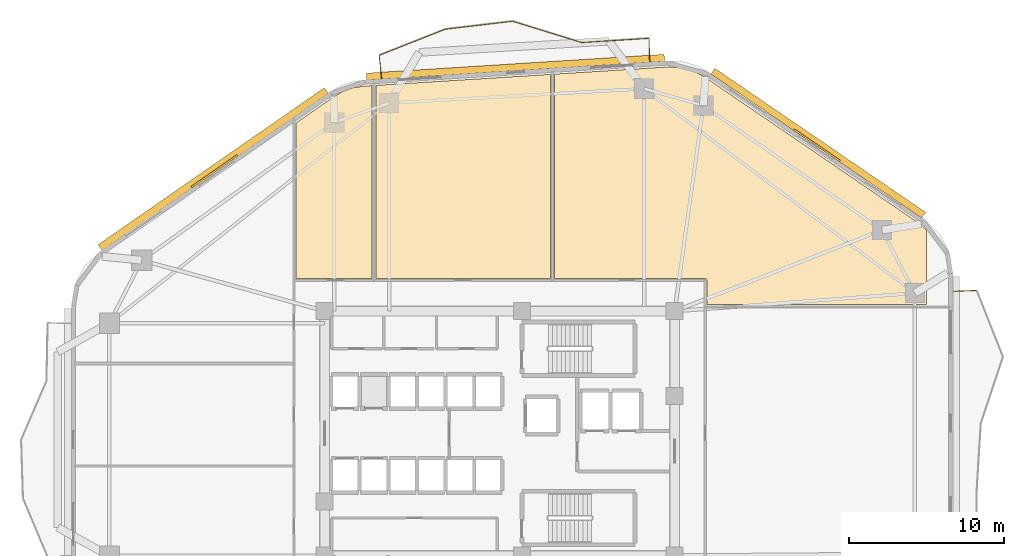
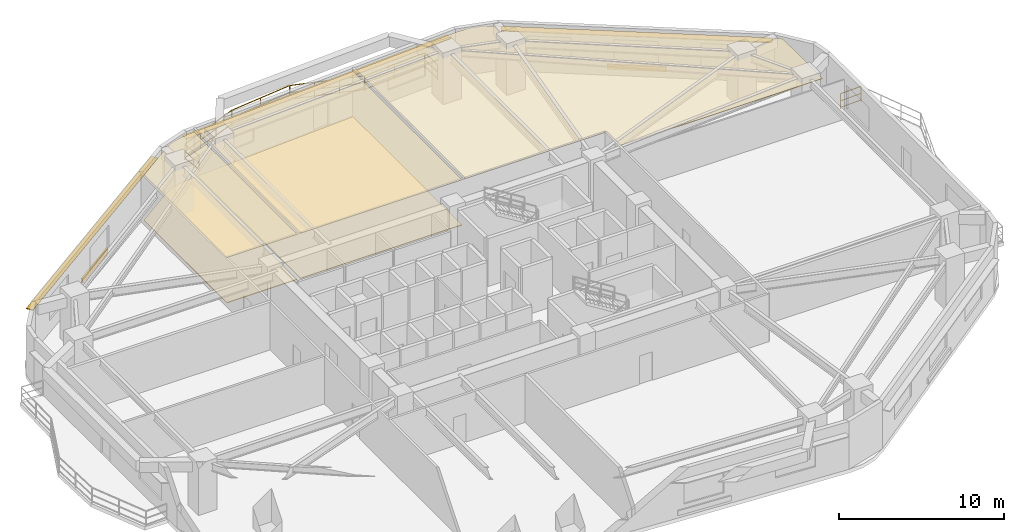
# One storey, part 9 of 10: 7 railings, 5 coverings, 5 shading devices.
"""IFC4 building model written with IfcOpenShell, lengths in metres."""

import ifcopenshell
import ifcopenshell.guid

model = None  # the IFC model being written
_history = None  # IfcOwnerHistory: only IFC2X3 demands one
_inside = {}  # id of a spatial element -> (the spatial element, [elements in it])
_under = {}  # id of a project, library or spatial element -> (it, [spatial elements below it])
_declared = {}  # id of a project -> (the project, [libraries it declares])
_typed = {}  # id of a type object -> (the type object, [elements of that type])
_made_of = {}  # id of a material, layer set ... -> (it, [elements and type objects made of it])


def new_model(schema):
    """Start an empty IFC model of exactly this schema.

    Asked for "IFC4X3", IfcOpenShell would pick the latest addendum, in which some entities
    have other attributes; the version numbers below select the first issue.
    IFC2X3 requires an IfcOwnerHistory on every rooted entity: one is made here for all.
    """
    global model, _history
    if schema == "IFC4X3":
        model = ifcopenshell.file(schema_version=(4, 3, 0, 0))
    else:
        model = ifcopenshell.file(schema=schema)
    _inside.clear()
    _under.clear()
    _declared.clear()
    _typed.clear()
    _made_of.clear()
    _history = None
    if model.schema == "IFC2X3":
        org = make("IfcOrganization", Name="unknown")
        user = make(
            "IfcPersonAndOrganization",
            ThePerson=make("IfcPerson", FamilyName="unknown"),
            TheOrganization=org,
        )
        app = make(
            "IfcApplication",
            ApplicationDeveloper=org,
            Version="unknown",
            ApplicationFullName="unknown",
            ApplicationIdentifier="unknown",
        )
        _history = make(
            "IfcOwnerHistory",
            OwningUser=user,
            OwningApplication=app,
            ChangeAction="ADDED",
            CreationDate=0,
        )
    return model


def make(cls, **values):
    """One entity of the class cls with the attributes given. An attribute that is None is left unset."""
    return model.create_entity(
        cls, **{name: value for name, value in values.items() if value is not None}
    )


def rooted(cls, **values):
    """An entity with a GlobalId (a new one), such as an element, a storey or a relation."""
    return make(cls, GlobalId=ifcopenshell.guid.new(), OwnerHistory=_history, **values)


def si_unit(unit_type, name, prefix=None):
    """IfcSIUnit, for example si_unit("LENGTHUNIT", "METRE", prefix="MILLI")."""
    return make("IfcSIUnit", UnitType=unit_type, Prefix=prefix, Name=name)


def assignment(units):
    """IfcUnitAssignment: the units of a project."""
    return None if units is None else make("IfcUnitAssignment", Units=units)


def point(xyz):
    """IfcCartesianPoint."""
    return None if xyz is None else make("IfcCartesianPoint", Coordinates=xyz)


def direction(xyz):
    """IfcDirection."""
    return None if xyz is None else make("IfcDirection", DirectionRatios=xyz)


def frame(location, z_axis=None, x_axis=None):
    """IfcAxis2Placement3D, a coordinate frame: its origin and axes. An axis left out is left unset."""
    return make(
        "IfcAxis2Placement3D",
        Location=point(location),
        Axis=direction(z_axis),
        RefDirection=direction(x_axis),
    )


def frame_2d(location, x_axis=None):
    """IfcAxis2Placement2D, a coordinate frame in the plane: its origin and x axis."""
    return make(
        "IfcAxis2Placement2D", Location=point(location), RefDirection=direction(x_axis)
    )


def origin():
    """The frame at (0, 0, 0) with its axes left unset."""
    return frame((0.0, 0.0, 0.0))


def origin_2d():
    """The frame at (0, 0) in the plane with its x axis left unset."""
    return frame_2d((0.0, 0.0))


def place(relative_to, where):
    """IfcLocalPlacement: puts the frame where relative to a parent placement (None: the world)."""
    return make(
        "IfcLocalPlacement", PlacementRelTo=relative_to, RelativePlacement=where
    )


def context(
    kind, dimensions, precision=None, world=None, true_north=None, identifier=None
):
    """IfcGeometricRepresentationContext, for example the 3D "Model" context."""
    return make(
        "IfcGeometricRepresentationContext",
        ContextIdentifier=identifier,
        ContextType=kind,
        CoordinateSpaceDimension=dimensions,
        Precision=precision,
        WorldCoordinateSystem=world,
        TrueNorth=true_north,
    )


def subcontext(parent, identifier, kind, view, scale=None):
    """IfcGeometricRepresentationSubContext, for example "Body" below "Model"."""
    return make(
        "IfcGeometricRepresentationSubContext",
        ContextIdentifier=identifier,
        ContextType=kind,
        ParentContext=parent,
        TargetScale=scale,
        TargetView=view,
    )


def project(units=None, contexts=None):
    """IfcProject with its units and contexts."""
    return rooted(
        "IfcProject",
        Name="project",
        RepresentationContexts=contexts,
        UnitsInContext=assignment(units),
    )


def spatial(cls, under=None, at=None, **own):
    """A site, building, storey or space (cls), placed at a placement, below another one or the project."""
    s = rooted(cls, ObjectPlacement=at, **own)
    if under is not None:
        _under.setdefault(under.id(), (under, []))[1].append(s)
    return s


def polyline(points):
    """IfcPolyline through the points."""
    return make("IfcPolyline", Points=[point(p) for p in points])


def profile(cls, at=None, kind="AREA", **sizes):
    """A parametric profile (cls). Its sizes go by their IFC names, for example OverallWidth=200.0."""
    return make(cls, ProfileType=kind, Position=at, **sizes)


def rectangle(**sizes):
    """IfcRectangleProfileDef."""
    return profile("IfcRectangleProfileDef", **sizes)


def outline(outer, holes=None, kind="AREA"):
    """IfcArbitraryClosedProfileDef: a profile drawn as a closed curve; with holes, ...WithVoids."""
    if holes is None:
        return make("IfcArbitraryClosedProfileDef", ProfileType=kind, OuterCurve=outer)
    return make(
        "IfcArbitraryProfileDefWithVoids",
        ProfileType=kind,
        OuterCurve=outer,
        InnerCurves=holes,
    )


def extrude(swept, where, along, depth):
    """IfcExtrudedAreaSolid: the profile swept, set in the frame where, extruded along a direction by depth."""
    return make(
        "IfcExtrudedAreaSolid",
        SweptArea=swept,
        Position=where,
        ExtrudedDirection=direction(along),
        Depth=depth,
    )


def shape(context_of_items, identifier, shape_type, items):
    """IfcShapeRepresentation: the items that make up one representation, for example the "Body"."""
    return make(
        "IfcShapeRepresentation",
        ContextOfItems=context_of_items,
        RepresentationIdentifier=identifier,
        RepresentationType=shape_type,
        Items=items,
    )


def material(Name=None, Category=None):
    """IfcMaterial."""
    return make("IfcMaterial", Name=Name, Category=Category)


def layer(
    of_material, thickness, ventilated=None, Name=None, Category=None, Priority=None
):
    """IfcMaterialLayer: one layer of a wall or slab, of a material (None: an air gap)."""
    return make(
        "IfcMaterialLayer",
        Material=of_material,
        LayerThickness=thickness,
        IsVentilated=ventilated,
        Name=Name,
        Category=Category,
        Priority=Priority,
    )


def layer_set(layers, Name=None):
    """IfcMaterialLayerSet."""
    return make("IfcMaterialLayerSet", MaterialLayers=layers, LayerSetName=Name)


def made_of(thing, what):
    """Note that an element or type object is made of a material, layer set ...; save() writes the relation."""
    if what is not None:
        _made_of.setdefault(what.id(), (what, []))[1].append(thing)
    return thing


def type_object(cls, material=None, **own):
    """A type object (cls), such as IfcWallType, which elements share."""
    return made_of(rooted(cls, **own), material)


def element(
    cls,
    number,
    at=None,
    inside=None,
    cuts=None,
    type_object=None,
    material=None,
    context=None,
    identifier="Body",
    shape_type=None,
    held_by="IfcProductDefinitionShape",
    body=None,
    shapes=None,
    **own,
):
    """One element of the class cls, such as IfcWall. Its Tag is "e" and its number.

    at: its placement. inside: the storey or other place that contains it. cuts: it is an
    opening in that element (IfcRelVoidsElement). A single representation is given by context,
    identifier, shape_type and body (its items); several are given by shapes. held_by: the class
    of the entity that holds the representations. save() writes the other relations.
    """
    e = rooted(cls, Tag="e%d" % number, ObjectPlacement=at, **own)
    if body is not None:
        shapes = [shape(context, identifier, shape_type, body)]
    if shapes is not None:
        e.Representation = make(held_by, Representations=shapes)
    if inside is not None:
        _inside.setdefault(inside.id(), (inside, []))[1].append(e)
    if cuts is not None:
        rooted(
            "IfcRelVoidsElement", RelatingBuildingElement=cuts, RelatedOpeningElement=e
        )
    if type_object is not None:
        _typed.setdefault(type_object.id(), (type_object, []))[1].append(e)
    return made_of(e, material)


def aggregate(whole, parts):
    """IfcRelAggregates: a whole, such as a stair, and the parts it consists of."""
    return rooted("IfcRelAggregates", RelatingObject=whole, RelatedObjects=parts)


def save(model, path):
    """Write the relations noted so far, then the file.

    IfcRelAggregates (storeys below a building ...), IfcRelContainedInSpatialStructure (elements
    in a storey), IfcRelDefinesByType, IfcRelAssociatesMaterial and IfcRelDeclares: one each for
    every whole, place, type object, material and project.
    """
    for whole, parts in _under.values():
        aggregate(whole, parts)
    for where, things in _inside.values():
        rooted(
            "IfcRelContainedInSpatialStructure",
            RelatedElements=things,
            RelatingStructure=where,
        )
    for kind, things in _typed.values():
        rooted("IfcRelDefinesByType", RelatedObjects=things, RelatingType=kind)
    for what, things in _made_of.values():
        rooted("IfcRelAssociatesMaterial", RelatedObjects=things, RelatingMaterial=what)
    for by, libraries in _declared.values():
        rooted("IfcRelDeclares", RelatingContext=by, RelatedDefinitions=libraries)
    model.write(path)


model = new_model("IFC4")

# Units and contexts
model_context = context("Model", 3, precision=1e-05, world=origin(), true_north=direction((0.0, 1.0)))
body_context = subcontext(model_context, "Body", "Model", "MODEL_VIEW")
ifc_project = project(units=[si_unit("LENGTHUNIT", "METRE"), si_unit("AREAUNIT", "SQUARE_METRE"), si_unit("VOLUMEUNIT", "CUBIC_METRE"), si_unit("PLANEANGLEUNIT", "RADIAN"), si_unit("MASSUNIT", "GRAM", prefix="KILO")], contexts=[model_context])

# Site, building, storey
site_placement = place(None, origin())
site = spatial("IfcSite", under=ifc_project, at=site_placement, CompositionType="ELEMENT")
building_placement = place(site_placement, origin())
building = spatial("IfcBuilding", under=site, at=building_placement, Name="Zulverin Broadcast Headquarters", CompositionType="ELEMENT")
storey_placement = place(building_placement, frame((0.0, 0.0, 36.39990234375)))
storey = spatial("IfcBuildingStorey", under=building, at=storey_placement, Name="L08", CompositionType="ELEMENT", Elevation=36.39990234375)

# Coverings
ifc_material_1 = material(Name="Perforated pale-metal acoustic baffle ceiling", Category="aluminium")
ifc_layer_1 = layer(ifc_material_1, 0.0400390625, Name="Perforated pale-metal acoustic baffle ceiling", Category="aluminium")
ifc_layer_set_1 = layer_set([ifc_layer_1], Name="Perforated pale-metal acoustic baffle ceiling")
covering_type_1 = type_object("IfcCoveringType", Name="COV-CEIL-ACOU", PredefinedType="CEILING", material=ifc_layer_set_1)
covering_1_placement = place(storey_placement, frame((0.0, 0.0, 3.34521484375)))
element("IfcCovering", 1, at=covering_1_placement, inside=storey, type_object=covering_type_1, Name="L08 Acoustic Baffle Ceiling 01", PredefinedType="CEILING", context=body_context, shape_type="SweptSolid", body=[
    extrude(outline(polyline([(28.780029296875, 35.172119140625), (28.780029296875, 47.60791015625), (28.27587890625, 47.575927734375), (27.575927734375, 47.468017578125), (26.927978515625, 47.243896484375), (26.31591796875, 46.89599609375), (23.8720703125, 45.196044921875), (23.8720703125, 35.172119140625), (28.780029296875, 35.172119140625)])), origin(), (0.0, 0.0, 1.0), 0.039794921875),
])
covering_2_placement = place(storey_placement, frame((0.0, 0.0, 3.34521484375)))
element("IfcCovering", 2, at=covering_2_placement, inside=storey, type_object=covering_type_1, Name="L08 Acoustic Baffle Ceiling 02", PredefinedType="CEILING", context=body_context, shape_type="SweptSolid", body=[
    extrude(outline(polyline([(40.280029296875, 35.172119140625), (40.280029296875, 48.33203125), (29.02001953125, 47.6240234375), (29.02001953125, 35.172119140625), (40.280029296875, 35.172119140625)])), origin(), (0.0, 0.0, 1.0), 0.039794921875),
])
covering_3_placement = place(storey_placement, frame((0.0, 0.0, 3.34521484375)))
element("IfcCovering", 3, at=covering_3_placement, inside=storey, type_object=covering_type_1, Name="L08 Acoustic Baffle Ceiling 03", PredefinedType="CEILING", context=body_context, shape_type="SweptSolid", body=[
    extrude(outline(polyline([(64.5, 38.303955078125), (64.115966796875, 38.672119140625), (50.248046875, 48.139892578125), (49.491943359375, 48.548095703125), (48.68408203125, 48.76806640625), (47.823974609375, 48.80810546875), (40.52001953125, 48.347900390625), (40.52001953125, 35.172119140625), (50.251953125, 35.172119140625), (50.263916015625, 35.172119140625), (50.27587890625, 35.16796875), (50.2880859375, 35.16796875), (50.2958984375, 35.1640625), (50.30810546875, 35.156005859375), (50.320068359375, 35.152099609375), (50.327880859375, 35.14404296875), (50.3359375, 35.135986328125), (50.343994140625, 35.1279296875), (50.35205078125, 35.1201171875), (50.35595703125, 35.10791015625), (50.364013671875, 35.095947265625), (50.367919921875, 35.087890625), (50.367919921875, 35.075927734375), (50.3720703125, 35.06396484375), (50.3720703125, 35.052001953125), (50.3720703125, 33.5), (64.5, 33.5), (64.5, 38.303955078125)])), origin(), (0.0, 0.0, 1.0), 0.039794921875),
])
ifc_material_2 = material(Name="Anti-static broadcast raised access flooring", Category="stone")
ifc_layer_2 = layer(ifc_material_2, 0.050048828125, Name="Anti-static broadcast raised access flooring", Category="stone")
ifc_layer_set_2 = layer_set([ifc_layer_2], Name="Anti-static broadcast raised access flooring")
covering_type_2 = type_object("IfcCoveringType", Name="COV-FLR-RAISED", PredefinedType="FLOORING", material=ifc_layer_set_2)
covering_4_placement = place(storey_placement, origin())
element("IfcCovering", 4, at=covering_4_placement, inside=storey, type_object=covering_type_2, Name="L08 Broadcast Raised Access Flooring 01", PredefinedType="FLOORING", context=body_context, shape_type="SweptSolid", body=[
    extrude(outline(polyline([(28.780029296875, 35.172119140625), (28.780029296875, 47.60791015625), (28.27587890625, 47.575927734375), (27.575927734375, 47.468017578125), (26.927978515625, 47.243896484375), (26.31591796875, 46.89599609375), (23.8720703125, 45.196044921875), (23.8720703125, 35.172119140625), (28.780029296875, 35.172119140625)])), origin(), (0.0, 0.0, 1.0), 0.050048828125),
])
covering_5_placement = place(storey_placement, origin())
element("IfcCovering", 5, at=covering_5_placement, inside=storey, type_object=covering_type_2, Name="L08 Broadcast Raised Access Flooring 02", PredefinedType="FLOORING", context=body_context, shape_type="SweptSolid", body=[
    extrude(outline(polyline([(40.280029296875, 35.172119140625), (40.280029296875, 48.33203125), (29.02001953125, 47.6240234375), (29.02001953125, 35.172119140625), (40.280029296875, 35.172119140625)])), origin(), (0.0, 0.0, 1.0), 0.050048828125),
])

# Railings
ifc_material_3 = material(Name="Brushed stainless steel & laminated glass balustrade", Category="steel")
railing_type = type_object("IfcRailingType", Name="RL-GUARD-1150", PredefinedType="GUARDRAIL", material=ifc_material_3)
railing_1_placement = place(storey_placement, frame((67.705078125, 34.413818359375, 0.0)))
element("IfcRailing", 6, at=railing_1_placement, inside=storey, type_object=railing_type, Name="L08 Vertical-Forest Balcony Guardrail BAL_E Segment 06", PredefinedType="GUARDRAIL", context=body_context, shape_type="SweptSolid", body=[
    extrude(rectangle(XDim=0.048095703125, YDim=0.048095703125, at=origin_2d()), frame((0.0, 0.0, 1.1259765625), z_axis=(-0.999181155166, -0.040460093435, 0.0), x_axis=(0.040460093435, -0.999181155166, 0.0)), (0.0, 0.0, 1.0), 1.46630859375),
    extrude(rectangle(XDim=0.0419921875, YDim=0.0419921875, at=origin_2d()), frame((0.0, 0.0, 0.597900390625), z_axis=(-0.999181155166, -0.040460093435, 0.0), x_axis=(0.040460093435, -0.999181155166, 0.0)), (0.0, 0.0, 1.0), 1.46630859375),
    extrude(rectangle(XDim=0.0419921875, YDim=0.0419921875, at=origin_2d()), frame((0.0, 0.0, 0.1201171875), z_axis=(-0.999181155166, -0.040460093435, 0.0), x_axis=(0.040460093435, -0.999181155166, 0.0)), (0.0, 0.0, 1.0), 1.46630859375),
    extrude(rectangle(XDim=0.0419921875, YDim=0.0419921875, at=origin_2d()), origin(), (0.0, 0.0, 1.0), 1.101806640625),
    extrude(rectangle(XDim=0.0419921875, YDim=0.0419921875, at=origin_2d()), frame((-1.465087890625, -0.059326171875, 0.0)), (0.0, 0.0, 1.0), 1.101806640625),
])
railing_2_placement = place(storey_placement, frame((46.662841796875, 49.176025390625, 0.0)))
element("IfcRailing", 7, at=railing_2_placement, inside=storey, type_object=railing_type, Name="L08 Vertical-Forest Balcony Guardrail BAL_N Segment 01", PredefinedType="GUARDRAIL", context=body_context, shape_type="SweptSolid", body=[
    extrude(rectangle(XDim=0.048095703125, YDim=0.048095703125, at=origin_2d()), frame((0.0, 0.0, 1.1259765625), z_axis=(-0.022479328211, 0.999747307975, 0.0), x_axis=(-0.999747307975, -0.022479328211, 0.0)), (0.0, 0.0, 1.0), 1.46630859375),
    extrude(rectangle(XDim=0.0419921875, YDim=0.0419921875, at=origin_2d()), frame((0.0, 0.0, 0.597900390625), z_axis=(-0.022479328211, 0.999747307975, 0.0), x_axis=(-0.999747307975, -0.022479328211, 0.0)), (0.0, 0.0, 1.0), 1.46630859375),
    extrude(rectangle(XDim=0.0419921875, YDim=0.0419921875, at=origin_2d()), frame((0.0, 0.0, 0.1201171875), z_axis=(-0.022479328211, 0.999747307975, 0.0), x_axis=(-0.999747307975, -0.022479328211, 0.0)), (0.0, 0.0, 1.0), 1.46630859375),
    extrude(rectangle(XDim=0.0419921875, YDim=0.0419921875, at=origin_2d()), origin(), (0.0, 0.0, 1.0), 1.101806640625),
    extrude(rectangle(XDim=0.0419921875, YDim=0.0419921875, at=origin_2d()), frame((-0.032958984375, 1.4658203125, 0.0)), (0.0, 0.0, 1.0), 1.101806640625),
])
railing_3_placement = place(storey_placement, frame((46.614501953125, 50.656005859375, 0.0)))
element("IfcRailing", 8, at=railing_3_placement, inside=storey, type_object=railing_type, Name="L08 Vertical-Forest Balcony Guardrail BAL_N Segment 02", PredefinedType="GUARDRAIL", context=body_context, shape_type="SweptSolid", body=[
    extrude(rectangle(XDim=0.048095703125, YDim=0.048095703125, at=origin_2d()), frame((0.0, 0.0, 1.1259765625), z_axis=(-0.998015967654, -0.062961323906, 0.0), x_axis=(0.062961323906, -0.998015967654, 0.0)), (0.0, 0.0, 1.0), 4.327392578125),
    extrude(rectangle(XDim=0.0419921875, YDim=0.0419921875, at=origin_2d()), frame((0.0, 0.0, 0.597900390625), z_axis=(-0.998015967654, -0.062961323906, 0.0), x_axis=(0.062961323906, -0.998015967654, 0.0)), (0.0, 0.0, 1.0), 4.327392578125),
    extrude(rectangle(XDim=0.0419921875, YDim=0.0419921875, at=origin_2d()), frame((0.0, 0.0, 0.1201171875), z_axis=(-0.998015967654, -0.062961323906, 0.0), x_axis=(0.062961323906, -0.998015967654, 0.0)), (0.0, 0.0, 1.0), 4.327392578125),
    extrude(rectangle(XDim=0.0419921875, YDim=0.0419921875, at=origin_2d()), origin(), (0.0, 0.0, 1.0), 1.101806640625),
    extrude(rectangle(XDim=0.0419921875, YDim=0.0419921875, at=origin_2d()), frame((-2.159423828125, -0.13623046875, 0.0)), (0.0, 0.0, 1.0), 1.101806640625),
    extrude(rectangle(XDim=0.0419921875, YDim=0.0419921875, at=origin_2d()), frame((-4.31884765625, -0.2724609375, 0.0)), (0.0, 0.0, 1.0), 1.101806640625),
])
railing_4_placement = place(storey_placement, frame((42.266357421875, 50.38720703125, 0.0)))
element("IfcRailing", 9, at=railing_4_placement, inside=storey, type_object=railing_type, Name="L08 Vertical-Forest Balcony Guardrail BAL_N Segment 03", PredefinedType="GUARDRAIL", context=body_context, shape_type="SweptSolid", body=[
    extrude(rectangle(XDim=0.048095703125, YDim=0.048095703125, at=origin_2d()), frame((0.0, 0.0, 1.1259765625), z_axis=(-0.955636357772, 0.29454906502, 0.0), x_axis=(-0.29454906502, -0.955636357772, 0.0)), (0.0, 0.0, 1.0), 4.629150390625),
    extrude(rectangle(XDim=0.0419921875, YDim=0.0419921875, at=origin_2d()), frame((0.0, 0.0, 0.597900390625), z_axis=(-0.955636357772, 0.29454906502, 0.0), x_axis=(-0.29454906502, -0.955636357772, 0.0)), (0.0, 0.0, 1.0), 4.629150390625),
    extrude(rectangle(XDim=0.0419921875, YDim=0.0419921875, at=origin_2d()), frame((0.0, 0.0, 0.1201171875), z_axis=(-0.955636357772, 0.29454906502, 0.0), x_axis=(-0.29454906502, -0.955636357772, 0.0)), (0.0, 0.0, 1.0), 4.629150390625),
    extrude(rectangle(XDim=0.0419921875, YDim=0.0419921875, at=origin_2d()), origin(), (0.0, 0.0, 1.0), 1.101806640625),
    extrude(rectangle(XDim=0.0419921875, YDim=0.0419921875, at=origin_2d()), frame((-1.474609375, 0.45458984375, 0.0)), (0.0, 0.0, 1.0), 1.101806640625),
    extrude(rectangle(XDim=0.0419921875, YDim=0.0419921875, at=origin_2d()), frame((-2.94921875, 0.908935546875, 0.0)), (0.0, 0.0, 1.0), 1.101806640625),
    extrude(rectangle(XDim=0.0419921875, YDim=0.0419921875, at=origin_2d()), frame((-4.423828125, 1.363525390625, 0.0)), (0.0, 0.0, 1.0), 1.101806640625),
])
railing_5_placement = place(storey_placement, frame((37.813232421875, 51.75341796875, 0.0)))
element("IfcRailing", 10, at=railing_5_placement, inside=storey, type_object=railing_type, Name="L08 Vertical-Forest Balcony Guardrail BAL_N Segment 04", PredefinedType="GUARDRAIL", context=body_context, shape_type="SweptSolid", body=[
    extrude(rectangle(XDim=0.048095703125, YDim=0.048095703125, at=origin_2d()), frame((0.0, 0.0, 1.1259765625), z_axis=(-0.993091646174, -0.11734130688, 0.0), x_axis=(0.11734130688, -0.993091646174, 0.0)), (0.0, 0.0, 1.0), 4.333984375),
    extrude(rectangle(XDim=0.0419921875, YDim=0.0419921875, at=origin_2d()), frame((0.0, 0.0, 0.597900390625), z_axis=(-0.993091646174, -0.11734130688, 0.0), x_axis=(0.11734130688, -0.993091646174, 0.0)), (0.0, 0.0, 1.0), 4.333984375),
    extrude(rectangle(XDim=0.0419921875, YDim=0.0419921875, at=origin_2d()), frame((0.0, 0.0, 0.1201171875), z_axis=(-0.993091646174, -0.11734130688, 0.0), x_axis=(0.11734130688, -0.993091646174, 0.0)), (0.0, 0.0, 1.0), 4.333984375),
    extrude(rectangle(XDim=0.0419921875, YDim=0.0419921875, at=origin_2d()), origin(), (0.0, 0.0, 1.0), 1.101806640625),
    extrude(rectangle(XDim=0.0419921875, YDim=0.0419921875, at=origin_2d()), frame((-2.15185546875, -0.25439453125, 0.0)), (0.0, 0.0, 1.0), 1.101806640625),
    extrude(rectangle(XDim=0.0419921875, YDim=0.0419921875, at=origin_2d()), frame((-4.303955078125, -0.508544921875, 0.0)), (0.0, 0.0, 1.0), 1.101806640625),
])
railing_6_placement = place(storey_placement, frame((33.48046875, 51.237548828125, 0.0)))
element("IfcRailing", 11, at=railing_6_placement, inside=storey, type_object=railing_type, Name="L08 Vertical-Forest Balcony Guardrail BAL_N Segment 05", PredefinedType="GUARDRAIL", context=body_context, shape_type="SweptSolid", body=[
    extrude(rectangle(XDim=0.048095703125, YDim=0.048095703125, at=origin_2d()), frame((0.0, 0.0, 1.1259765625), z_axis=(-0.930033653867, -0.367474356486, 0.0), x_axis=(0.367474356486, -0.930033653867, 0.0)), (0.0, 0.0, 1.0), 4.55029296875),
    extrude(rectangle(XDim=0.0419921875, YDim=0.0419921875, at=origin_2d()), frame((0.0, 0.0, 0.597900390625), z_axis=(-0.930033653867, -0.367474356486, 0.0), x_axis=(0.367474356486, -0.930033653867, 0.0)), (0.0, 0.0, 1.0), 4.55029296875),
    extrude(rectangle(XDim=0.0419921875, YDim=0.0419921875, at=origin_2d()), frame((0.0, 0.0, 0.1201171875), z_axis=(-0.930033653867, -0.367474356486, 0.0), x_axis=(0.367474356486, -0.930033653867, 0.0)), (0.0, 0.0, 1.0), 4.55029296875),
    extrude(rectangle(XDim=0.0419921875, YDim=0.0419921875, at=origin_2d()), origin(), (0.0, 0.0, 1.0), 1.101806640625),
    extrude(rectangle(XDim=0.0419921875, YDim=0.0419921875, at=origin_2d()), frame((-1.41064453125, -0.557373046875, 0.0)), (0.0, 0.0, 1.0), 1.101806640625),
    extrude(rectangle(XDim=0.0419921875, YDim=0.0419921875, at=origin_2d()), frame((-2.8212890625, -1.11474609375, 0.0)), (0.0, 0.0, 1.0), 1.101806640625),
    extrude(rectangle(XDim=0.0419921875, YDim=0.0419921875, at=origin_2d()), frame((-4.23193359375, -1.672119140625, 0.0)), (0.0, 0.0, 1.0), 1.101806640625),
])
railing_7_placement = place(storey_placement, frame((29.236083984375, 49.545166015625, 0.0)))
element("IfcRailing", 12, at=railing_7_placement, inside=storey, type_object=railing_type, Name="L08 Vertical-Forest Balcony Guardrail BAL_N Segment 06", PredefinedType="GUARDRAIL", context=body_context, shape_type="SweptSolid", body=[
    extrude(rectangle(XDim=0.048095703125, YDim=0.048095703125, at=origin_2d()), frame((0.0, 0.0, 1.1259765625), z_axis=(0.103393334431, -0.994640547331, 0.0), x_axis=(0.994640547331, 0.103393334431, 0.0)), (0.0, 0.0, 1.0), 1.46630859375),
    extrude(rectangle(XDim=0.0419921875, YDim=0.0419921875, at=origin_2d()), frame((0.0, 0.0, 0.597900390625), z_axis=(0.103393334431, -0.994640547331, 0.0), x_axis=(0.994640547331, 0.103393334431, 0.0)), (0.0, 0.0, 1.0), 1.46630859375),
    extrude(rectangle(XDim=0.0419921875, YDim=0.0419921875, at=origin_2d()), frame((0.0, 0.0, 0.1201171875), z_axis=(0.103393334431, -0.994640547331, 0.0), x_axis=(0.994640547331, 0.103393334431, 0.0)), (0.0, 0.0, 1.0), 1.46630859375),
    extrude(rectangle(XDim=0.0419921875, YDim=0.0419921875, at=origin_2d()), origin(), (0.0, 0.0, 1.0), 1.101806640625),
    extrude(rectangle(XDim=0.0419921875, YDim=0.0419921875, at=origin_2d()), frame((0.151611328125, -1.45849609375, 0.0)), (0.0, 0.0, 1.0), 1.101806640625),
])

# Shading devices
ifc_material_4 = material(Name="Anodized pale-metal aluminium acoustic louvre", Category="aluminium")
shading_device_type_1 = type_object("IfcShadingDeviceType", Name="SHD-LOUVRE-350", PredefinedType="USERDEFINED", material=ifc_material_4)
for number, where, z_axis, x_axis, name in (
    (13, (57.435302734375, 43.76708984375, 0.2451171875), (0.0, 0.0, 1.0), (-0.825756855157, 0.564026254851, 0.0), "L08 Spandrel Intake Louvre 4"),
    (14, (18.631103515625, 42.0966796875, 0.2451171875), (0.0, 0.0, 1.0), (-0.821556397865, -0.57012725345, 0.0), "L08 Spandrel Intake Louvre 6"),
):
    element("IfcShadingDevice", number, at=place(storey_placement, frame(where, z_axis=z_axis, x_axis=x_axis)), inside=storey, type_object=shading_device_type_1, Name=name, ObjectType="LOUVRE", PredefinedType="USERDEFINED", context=body_context, shape_type="SweptSolid", body=[
        extrude(rectangle(XDim=3.60009765625, YDim=0.1201171875, at=origin_2d()), origin(), (0.0, 0.0, 1.0), 0.35009765625),
    ])
ifc_material_5 = material(Name="Anodized pale-metal aluminium sunshade", Category="aluminium")
ifc_layer_3 = layer(ifc_material_5, 0.06005859375, Name="Anodized pale-metal aluminium sunshade", Category="aluminium")
ifc_layer_set_3 = layer_set([ifc_layer_3], Name="Anodized pale-metal aluminium sunshade")
shading_device_type_2 = type_object("IfcShadingDeviceType", Name="SS-01_PALE_METAL_ALUMINIUM_SUNSHADE", PredefinedType="USERDEFINED", material=ifc_layer_set_3)
shading_device_1_placement = place(storey_placement, frame((57.525390625, 43.8994140625, 2.7099609375), z_axis=(0.0, 0.0, 1.0), x_axis=(-0.825756855157, 0.564026254851, 0.0)))
element("IfcShadingDevice", 15, at=shading_device_1_placement, inside=storey, type_object=shading_device_type_2, Name="L08 Horizontal Pale-Metal Sunshade Band 4", ObjectType="SUNSHADE", PredefinedType="USERDEFINED", context=body_context, shape_type="SweptSolid", body=[
    extrude(rectangle(XDim=16.4482421875, YDim=0.449951171875, at=origin_2d()), origin(), (0.0, 0.0, 1.0), 0.06005859375),
])
shading_device_2_placement = place(storey_placement, frame((38.01513671875, 48.791015625, 2.7099609375), z_axis=(0.0, 0.0, 1.0), x_axis=(-0.998017621976, -0.062935095345, 0.0)))
element("IfcShadingDevice", 16, at=shading_device_2_placement, inside=storey, type_object=shading_device_type_2, Name="L08 Horizontal Pale-Metal Sunshade Band 5", ObjectType="SUNSHADE", PredefinedType="USERDEFINED", context=body_context, shape_type="SweptSolid", body=[
    extrude(rectangle(XDim=19.2294921875, YDim=0.449951171875, at=origin_2d()), origin(), (0.0, 0.0, 1.0), 0.06005859375),
])
shading_device_3_placement = place(storey_placement, frame((18.539794921875, 42.22802734375, 2.7099609375), z_axis=(0.0, 0.0, 1.0), x_axis=(-0.821556397865, -0.57012725345, 0.0)))
element("IfcShadingDevice", 17, at=shading_device_3_placement, inside=storey, type_object=shading_device_type_2, Name="L08 Horizontal Pale-Metal Sunshade Band 6", ObjectType="SUNSHADE", PredefinedType="USERDEFINED", context=body_context, shape_type="SweptSolid", body=[
    extrude(rectangle(XDim=17.732421875, YDim=0.449951171875, at=origin_2d()), origin(), (0.0, 0.0, 1.0), 0.06005859375),
])

save(model, "model.ifc")
